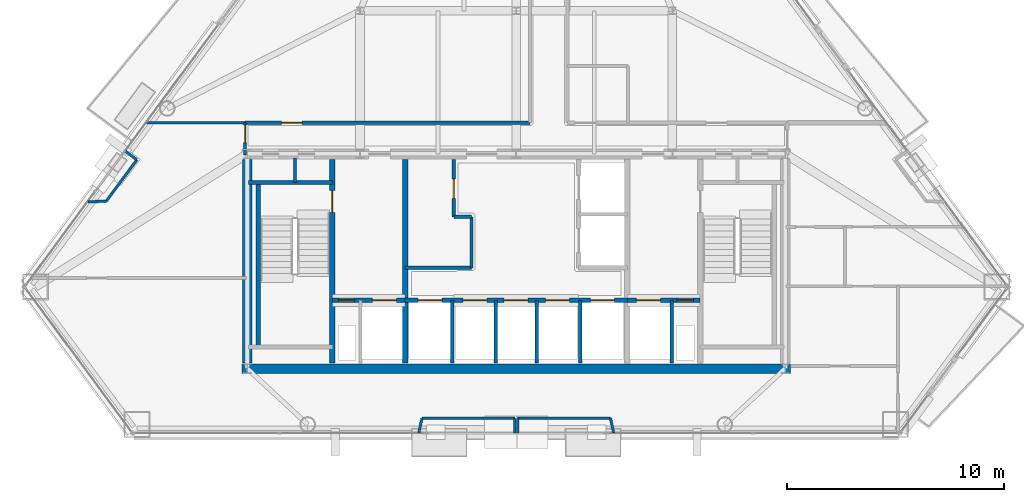
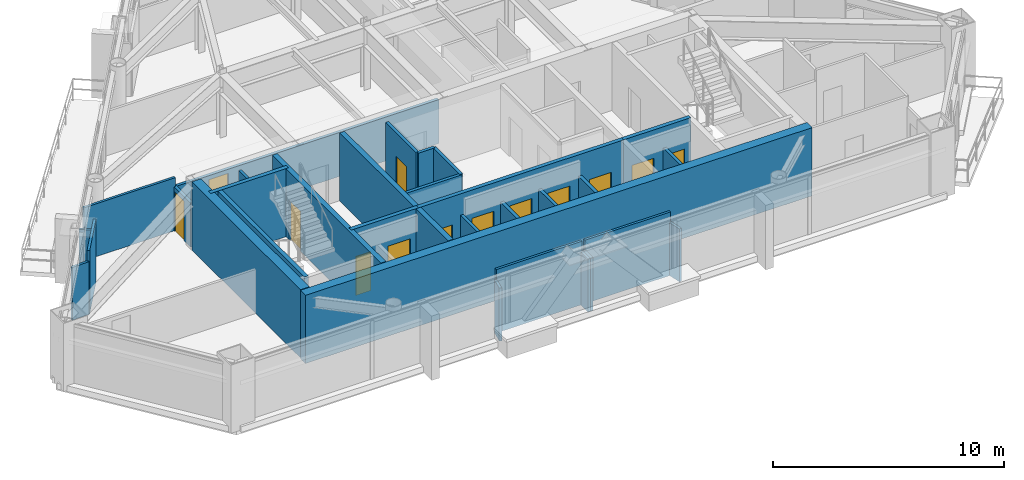
# One storey, part 7 of 11: 31 walls, 13 doors, 13 openings.
"""IFC4 building model written with IfcOpenShell, lengths in metres."""

from ifc_helpers import new_model, si_unit, direction, frame, frame_2d, origin, place, context, subcontext, project, spatial, rectangle, extrude, material, layer, layer_set, type_object, element, fill, save


model = new_model("IFC4")

# Units and contexts
model_context = context("Model", 3, precision=1e-05, world=origin(), true_north=direction((0.0, 1.0)))
body_context = subcontext(model_context, "Body", "Model", "MODEL_VIEW")
ifc_project = project(units=[si_unit("LENGTHUNIT", "METRE"), si_unit("AREAUNIT", "SQUARE_METRE"), si_unit("VOLUMEUNIT", "CUBIC_METRE"), si_unit("PLANEANGLEUNIT", "RADIAN"), si_unit("MASSUNIT", "GRAM", prefix="KILO")], contexts=[model_context])

# Site, building, storey
site_placement = place(None, origin())
site = spatial("IfcSite", under=ifc_project, at=site_placement, CompositionType="ELEMENT")
building_placement = place(site_placement, origin())
building = spatial("IfcBuilding", under=site, at=building_placement, Name="Talgorran Terracotta Tower", CompositionType="ELEMENT")
storey_placement = place(building_placement, frame((0.0, 0.0, 147.300048828125)))
storey = spatial("IfcBuildingStorey", under=building, at=storey_placement, Name="L38", CompositionType="ELEMENT", Elevation=147.300048828125)

# Walls
ifc_material_1 = material(Name="Concrete C50/60", Category="concrete")
ifc_layer_1 = layer(ifc_material_1, 0.199951171875, Name="WT_CORE_200")
ifc_layer_set_1 = layer_set([ifc_layer_1], Name="Concrete C50/60")
wall_type_1 = type_object("IfcWallType", Name="WT_CORE_200", PredefinedType="SOLIDWALL", material=ifc_layer_set_1)
wall_1_placement = place(storey_placement, frame((-12.35009765625, -5.52001953125, 0.0), z_axis=(0.0, 0.0, 1.0), x_axis=(1.0, 0.0, 0.0)))
element("IfcWall", 1, at=wall_1_placement, inside=storey, type_object=wall_type_1, Name="WL-L38-CW-ST1-N", PredefinedType="SOLIDWALL", context=body_context, shape_type="SweptSolid", body=[
    extrude(rectangle(XDim=3.8701171875, YDim=0.199951171875, at=frame_2d((1.93505859375, 0.0))), origin(), (0.0, 0.0, 1.0), 3.599853515625),
])
wall_2_placement = place(storey_placement, frame((-11.89990234375, -13.10009765625, 0.0), z_axis=(0.0, 0.0, 1.0), x_axis=(0.0, 1.0, 0.0)))
element("IfcWall", 2, at=wall_2_placement, inside=storey, type_object=wall_type_1, Name="WL-L38-CW-ST1-W", PredefinedType="SOLIDWALL", context=body_context, shape_type="SweptSolid", body=[
    extrude(rectangle(XDim=7.580078125, YDim=0.199951171875, at=frame_2d((3.7900390625, 0.0))), origin(), (0.0, 0.0, 1.0), 3.599853515625),
])

# Wall, openings, doors
wall_3_placement = place(storey_placement, frame((-8.47998046875, -10.949951171875, 0.0), z_axis=(0.0, 0.0, 1.0), x_axis=(1.0, 0.0, 0.0)))
wall_3 = element("IfcWall", 3, at=wall_3_placement, inside=storey, type_object=wall_type_1, Name="WL-L38-CW-H-SBW", PredefinedType="SOLIDWALL", context=body_context, shape_type="SweptSolid", body=[
    extrude(rectangle(XDim=3.35986328125, YDim=0.199951171875, at=frame_2d((1.679931640625, 0.0))), origin(), (0.0, 0.0, 1.0), 3.599853515625),
])
opening_1_placement = place(wall_3_placement, frame((0.280029296875, 0.0, 0.0)))
opening_1 = element("IfcOpeningElement", 4, at=opening_1_placement, cuts=wall_3, Name="Opening DR-RSW", PredefinedType="OPENING", context=body_context, shape_type="SweptSolid", body=[
    extrude(rectangle(XDim=0.756, YDim=2.054048828125, at=frame_2d((0.375, 1.027099609375))), frame((0.0, 0.10986328125, 0.0), z_axis=(0.0, -1.0, 0.0), x_axis=(1.0, 0.0, 0.0)), (0.0, 0.0, 1.0), 0.219970703125),
])
opening_2_placement = place(wall_3_placement, frame((1.85009765625, 0.0, 0.0)))
opening_2 = element("IfcOpeningElement", 5, at=opening_2_placement, cuts=wall_3, Name="Opening LD-FFL1", PredefinedType="OPENING", context=body_context, shape_type="SweptSolid", body=[
    extrude(rectangle(XDim=1.10609765625, YDim=2.10409765625, at=frame_2d((0.550048828125, 1.052001953125))), frame((0.0, 0.10986328125, 0.0), z_axis=(0.0, -1.0, 0.0), x_axis=(1.0, 0.0, 0.0)), (0.0, 0.0, 1.0), 0.219970703125),
])
ifc_material_2 = material(Name="Brushed Stainless Steel Grade 304", Category="steel")
door_type_1 = type_object("IfcDoorType", Name="DT_LIFT_LD1100", OperationType="DOUBLE_DOOR_SLIDING", PredefinedType="DOOR", material=ifc_material_2)
door_1_placement = place(opening_2_placement, origin())
door_1 = element("IfcDoor", 6, at=door_1_placement, inside=storey, type_object=door_type_1, Name="L38 Lift Landing Door LD-FFL1", OperationType="DOUBLE_DOOR_SLIDING", OverallHeight=2.10009765625, OverallWidth=1.10009765625, PredefinedType="DOOR", context=body_context, shape_type="SweptSolid", body=[
    extrude(rectangle(XDim=1.10009765625, YDim=2.10009765625, at=frame_2d((0.550048828125, 1.050048828125))), frame((0.0, 0.02490234375, 0.0), z_axis=(0.0, -1.0, 0.0), x_axis=(1.0, 0.0, 0.0)), (0.0, 0.0, 1.0), 0.050048828125),
])
fill(opening_2, door_1)
ifc_material_3 = material(Name="Fire-Rated Pressed Steel", Category="steel")
door_type_2 = type_object("IfcDoorType", Name="DT_RISER_750", OperationType="NOTDEFINED", PredefinedType="DOOR", material=ifc_material_3)
door_2_placement = place(opening_1_placement, origin())
door_2 = element("IfcDoor", 7, at=door_2_placement, inside=storey, type_object=door_type_2, Name="DR-RSW", OperationType="SINGLE_SWING_LEFT", OverallHeight=2.050048828125, OverallWidth=0.75, PredefinedType="DOOR", context=body_context, shape_type="SweptSolid", body=[
    extrude(rectangle(XDim=0.75, YDim=2.050048828125, at=frame_2d((0.375, 1.02490234375))), frame((0.0, 0.02490234375, 0.0), z_axis=(0.0, -1.0, 0.0), x_axis=(1.0, 0.0, 0.0)), (0.0, 0.0, 1.0), 0.050048828125),
])
fill(opening_1, door_2)

wall_4_placement = place(storey_placement, frame((-5.1201171875, -10.949951171875, 0.0), z_axis=(0.0, 0.0, 1.0), x_axis=(1.0, 0.0, 0.0)))
wall_4 = element("IfcWall", 8, at=wall_4_placement, inside=storey, type_object=wall_type_1, Name="WL-L38-CW-H-SBC", PredefinedType="SOLIDWALL", context=body_context, shape_type="SweptSolid", body=[
    extrude(rectangle(XDim=10.240234375, YDim=0.199951171875, at=frame_2d((5.1201171875, 0.0))), origin(), (0.0, 0.0, 1.0), 3.599853515625),
])
opening_3_placement = place(wall_4_placement, frame((0.60009765625, 0.0, 0.0)))
opening_3 = element("IfcOpeningElement", 9, at=opening_3_placement, cuts=wall_4, Name="Opening LD-OB1", PredefinedType="OPENING", context=body_context, shape_type="SweptSolid", body=[
    extrude(rectangle(XDim=1.10609765625, YDim=2.10409765625, at=frame_2d((0.550048828125, 1.052001953125))), frame((0.0, 0.10986328125, 0.0), z_axis=(0.0, -1.0, 0.0), x_axis=(1.0, 0.0, 0.0)), (0.0, 0.0, 1.0), 0.219970703125),
])
opening_4_placement = place(wall_4_placement, frame((2.669921875, 0.0, 0.0)))
opening_4 = element("IfcOpeningElement", 10, at=opening_4_placement, cuts=wall_4, Name="Opening LD-PLH1", PredefinedType="OPENING", context=body_context, shape_type="SweptSolid", body=[
    extrude(rectangle(XDim=1.10609765625, YDim=2.10409765625, at=frame_2d((0.550048828125, 1.052001953125))), frame((0.0, 0.10986328125, 0.0), z_axis=(0.0, -1.0, 0.0), x_axis=(1.0, 0.0, 0.0)), (0.0, 0.0, 1.0), 0.219970703125),
])
opening_5_placement = place(wall_4_placement, frame((4.570068359375, 0.0, 0.0)))
opening_5 = element("IfcOpeningElement", 11, at=opening_5_placement, cuts=wall_4, Name="Opening LD-PLH2", PredefinedType="OPENING", context=body_context, shape_type="SweptSolid", body=[
    extrude(rectangle(XDim=1.10609765625, YDim=2.10409765625, at=frame_2d((0.550048828125, 1.052001953125))), frame((0.0, 0.10986328125, 0.0), z_axis=(0.0, -1.0, 0.0), x_axis=(1.0, 0.0, 0.0)), (0.0, 0.0, 1.0), 0.219970703125),
])
opening_6_placement = place(wall_4_placement, frame((6.469970703125, 0.0, 0.0)))
opening_6 = element("IfcOpeningElement", 12, at=opening_6_placement, cuts=wall_4, Name="Opening LD-PLH3", PredefinedType="OPENING", context=body_context, shape_type="SweptSolid", body=[
    extrude(rectangle(XDim=1.10609765625, YDim=2.10409765625, at=frame_2d((0.550048828125, 1.052001953125))), frame((0.0, 0.10986328125, 0.0), z_axis=(0.0, -1.0, 0.0), x_axis=(1.0, 0.0, 0.0)), (0.0, 0.0, 1.0), 0.219970703125),
])
opening_7_placement = place(wall_4_placement, frame((8.5400390625, 0.0, 0.0)))
opening_7 = element("IfcOpeningElement", 13, at=opening_7_placement, cuts=wall_4, Name="Opening LD-SVL1", PredefinedType="OPENING", context=body_context, shape_type="SweptSolid", body=[
    extrude(rectangle(XDim=1.10609765625, YDim=2.10409765625, at=frame_2d((0.550048828125, 1.052001953125))), frame((0.0, 0.10986328125, 0.0), z_axis=(0.0, -1.0, 0.0), x_axis=(1.0, 0.0, 0.0)), (0.0, 0.0, 1.0), 0.219970703125),
])
door_3_placement = place(opening_3_placement, origin())
door_3 = element("IfcDoor", 14, at=door_3_placement, inside=storey, type_object=door_type_1, Name="L38 Lift Landing Door LD-OB1", OperationType="DOUBLE_DOOR_SLIDING", OverallHeight=2.10009765625, OverallWidth=1.10009765625, PredefinedType="DOOR", context=body_context, shape_type="SweptSolid", body=[
    extrude(rectangle(XDim=1.10009765625, YDim=2.10009765625, at=frame_2d((0.550048828125, 1.050048828125))), frame((0.0, 0.02490234375, 0.0), z_axis=(0.0, -1.0, 0.0), x_axis=(1.0, 0.0, 0.0)), (0.0, 0.0, 1.0), 0.050048828125),
])
fill(opening_3, door_3)
door_4_placement = place(opening_4_placement, origin())
door_4 = element("IfcDoor", 15, at=door_4_placement, inside=storey, type_object=door_type_1, Name="L38 Lift Landing Door LD-PLH1", OperationType="DOUBLE_DOOR_SLIDING", OverallHeight=2.10009765625, OverallWidth=1.10009765625, PredefinedType="DOOR", context=body_context, shape_type="SweptSolid", body=[
    extrude(rectangle(XDim=1.10009765625, YDim=2.10009765625, at=frame_2d((0.550048828125, 1.050048828125))), frame((0.0, 0.02490234375, 0.0), z_axis=(0.0, -1.0, 0.0), x_axis=(1.0, 0.0, 0.0)), (0.0, 0.0, 1.0), 0.050048828125),
])
fill(opening_4, door_4)
door_5_placement = place(opening_5_placement, origin())
door_5 = element("IfcDoor", 16, at=door_5_placement, inside=storey, type_object=door_type_1, Name="L38 Lift Landing Door LD-PLH2", OperationType="DOUBLE_DOOR_SLIDING", OverallHeight=2.10009765625, OverallWidth=1.10009765625, PredefinedType="DOOR", context=body_context, shape_type="SweptSolid", body=[
    extrude(rectangle(XDim=1.10009765625, YDim=2.10009765625, at=frame_2d((0.550048828125, 1.050048828125))), frame((0.0, 0.02490234375, 0.0), z_axis=(0.0, -1.0, 0.0), x_axis=(1.0, 0.0, 0.0)), (0.0, 0.0, 1.0), 0.050048828125),
])
fill(opening_5, door_5)
door_6_placement = place(opening_6_placement, origin())
door_6 = element("IfcDoor", 17, at=door_6_placement, inside=storey, type_object=door_type_1, Name="L38 Lift Landing Door LD-PLH3", OperationType="DOUBLE_DOOR_SLIDING", OverallHeight=2.10009765625, OverallWidth=1.10009765625, PredefinedType="DOOR", context=body_context, shape_type="SweptSolid", body=[
    extrude(rectangle(XDim=1.10009765625, YDim=2.10009765625, at=frame_2d((0.550048828125, 1.050048828125))), frame((0.0, 0.02490234375, 0.0), z_axis=(0.0, -1.0, 0.0), x_axis=(1.0, 0.0, 0.0)), (0.0, 0.0, 1.0), 0.050048828125),
])
fill(opening_6, door_6)
door_7_placement = place(opening_7_placement, origin())
door_7 = element("IfcDoor", 18, at=door_7_placement, inside=storey, type_object=door_type_1, Name="L38 Lift Landing Door LD-SVL1", OperationType="DOUBLE_DOOR_SLIDING", OverallHeight=2.10009765625, OverallWidth=1.10009765625, PredefinedType="DOOR", context=body_context, shape_type="SweptSolid", body=[
    extrude(rectangle(XDim=1.10009765625, YDim=2.10009765625, at=frame_2d((0.550048828125, 1.050048828125))), frame((0.0, 0.02490234375, 0.0), z_axis=(0.0, -1.0, 0.0), x_axis=(1.0, 0.0, 0.0)), (0.0, 0.0, 1.0), 0.050048828125),
])
fill(opening_7, door_7)

wall_5_placement = place(storey_placement, frame((5.1201171875, -10.949951171875, 0.0), z_axis=(0.0, 0.0, 1.0), x_axis=(1.0, 0.0, 0.0)))
wall_5 = element("IfcWall", 19, at=wall_5_placement, inside=storey, type_object=wall_type_1, Name="WL-L38-CW-H-SBE", PredefinedType="SOLIDWALL", context=body_context, shape_type="SweptSolid", body=[
    extrude(rectangle(XDim=3.35986328125, YDim=0.199951171875, at=frame_2d((1.679931640625, 0.0))), origin(), (0.0, 0.0, 1.0), 3.599853515625),
])
opening_8_placement = place(wall_5_placement, frame((0.419921875, 0.0, 0.0)))
opening_8 = element("IfcOpeningElement", 20, at=opening_8_placement, cuts=wall_5, Name="Opening LD-FFL2", PredefinedType="OPENING", context=body_context, shape_type="SweptSolid", body=[
    extrude(rectangle(XDim=1.10609765625, YDim=2.10409765625, at=frame_2d((0.550048828125, 1.052001953125))), frame((0.0, 0.10986328125, 0.0), z_axis=(0.0, -1.0, 0.0), x_axis=(1.0, 0.0, 0.0)), (0.0, 0.0, 1.0), 0.219970703125),
])
opening_9_placement = place(wall_5_placement, frame((2.300048828125, 0.0, 0.0)))
opening_9 = element("IfcOpeningElement", 21, at=opening_9_placement, cuts=wall_5, Name="Opening DR-RSE", PredefinedType="OPENING", context=body_context, shape_type="SweptSolid", body=[
    extrude(rectangle(XDim=0.756, YDim=2.054048828125, at=frame_2d((0.375, 1.027099609375))), frame((0.0, 0.10986328125, 0.0), z_axis=(0.0, -1.0, 0.0), x_axis=(1.0, 0.0, 0.0)), (0.0, 0.0, 1.0), 0.219970703125),
])
door_8_placement = place(opening_8_placement, origin())
door_8 = element("IfcDoor", 22, at=door_8_placement, inside=storey, type_object=door_type_1, Name="L38 Lift Landing Door LD-FFL2", OperationType="DOUBLE_DOOR_SLIDING", OverallHeight=2.10009765625, OverallWidth=1.10009765625, PredefinedType="DOOR", context=body_context, shape_type="SweptSolid", body=[
    extrude(rectangle(XDim=1.10009765625, YDim=2.10009765625, at=frame_2d((0.550048828125, 1.050048828125))), frame((0.0, 0.02490234375, 0.0), z_axis=(0.0, -1.0, 0.0), x_axis=(1.0, 0.0, 0.0)), (0.0, 0.0, 1.0), 0.050048828125),
])
fill(opening_8, door_8)
door_9_placement = place(opening_9_placement, origin())
door_9 = element("IfcDoor", 23, at=door_9_placement, inside=storey, type_object=door_type_2, Name="DR-RSE", OperationType="SINGLE_SWING_RIGHT", OverallHeight=2.050048828125, OverallWidth=0.75, PredefinedType="DOOR", context=body_context, shape_type="SweptSolid", body=[
    extrude(rectangle(XDim=0.75, YDim=2.050048828125, at=frame_2d((0.375, 1.02490234375))), frame((0.0, 0.02490234375, 0.0), z_axis=(0.0, -1.0, 0.0), x_axis=(1.0, 0.0, 0.0)), (0.0, 0.0, 1.0), 0.050048828125),
])
fill(opening_9, door_9)

# Wall, opening, door
ifc_layer_2 = layer(ifc_material_1, 0.25, Name="WT_CORE_250")
ifc_layer_set_2 = layer_set([ifc_layer_2], Name="Concrete C50/60")
wall_type_2 = type_object("IfcWallType", Name="WT_CORE_250", PredefinedType="SHEAR", material=ifc_layer_set_2)
wall_6_placement = place(storey_placement, frame((-8.47998046875, -13.85009765625, 0.0), z_axis=(0.0, 0.0, 1.0), x_axis=(0.0, 1.0, 0.0)))
wall_6 = element("IfcWall", 24, at=wall_6_placement, inside=storey, type_object=wall_type_2, Name="WL-L38-CW-V-W1", PredefinedType="SHEAR", context=body_context, shape_type="SweptSolid", body=[
    extrude(rectangle(XDim=9.400146484375, YDim=0.25, at=frame_2d((4.7001953125, 0.0))), origin(), (0.0, 0.0, 1.0), 3.599853515625),
])
opening_10_placement = place(wall_6_placement, frame((6.949951171875, 0.0, 0.0)))
opening_10 = element("IfcOpeningElement", 25, at=opening_10_placement, cuts=wall_6, Name="Opening DR-ST01", PredefinedType="OPENING", context=body_context, shape_type="SweptSolid", body=[
    extrude(rectangle(XDim=1.006, YDim=2.10409765625, at=frame_2d((0.5, 1.052001953125))), frame((0.0, 0.135009765625, 0.0), z_axis=(0.0, -1.0, 0.0), x_axis=(1.0, 0.0, 0.0)), (0.0, 0.0, 1.0), 0.27001953125),
])
door_type_3 = type_object("IfcDoorType", Name="DT_FIRE_1000", OperationType="NOTDEFINED", PredefinedType="DOOR", material=ifc_material_3)
door_10_placement = place(opening_10_placement, origin())
door_10 = element("IfcDoor", 26, at=door_10_placement, inside=storey, type_object=door_type_3, Name="DR-ST01", OperationType="SINGLE_SWING_LEFT", OverallHeight=2.10009765625, OverallWidth=1.0, PredefinedType="DOOR", context=body_context, shape_type="SweptSolid", body=[
    extrude(rectangle(XDim=1.0, YDim=2.10009765625, at=frame_2d((0.5, 1.050048828125))), frame((0.0, 0.02490234375, 0.0), z_axis=(0.0, -1.0, 0.0), x_axis=(1.0, 0.0, 0.0)), (0.0, 0.0, 1.0), 0.050048828125),
])
fill(opening_10, door_10)

# Walls
wall_7_placement = place(storey_placement, frame((-5.1201171875, -13.85009765625, 0.0), z_axis=(0.0, 0.0, 1.0), x_axis=(0.0, 1.0, 0.0)))
element("IfcWall", 27, at=wall_7_placement, inside=storey, type_object=wall_type_2, Name="WL-L38-CW-V-W2", PredefinedType="SHEAR", context=body_context, shape_type="SweptSolid", body=[
    extrude(rectangle(XDim=9.400146484375, YDim=0.25, at=frame_2d((4.7001953125, 0.0))), origin(), (0.0, 0.0, 1.0), 3.599853515625),
])
ifc_material_4 = material(Name="Concrete C65/80", Category="concrete")
ifc_layer_3 = layer(ifc_material_4, 0.449951171875, Name="WT_CORE_EXT")
ifc_layer_set_3 = layer_set([ifc_layer_3], Name="Concrete C65/80")
wall_type_3 = type_object("IfcWallType", Name="WT_CORE_EXT", PredefinedType="SHEAR", material=ifc_layer_set_3)
wall_8_placement = place(storey_placement, frame((-12.64990234375, -14.10009765625, 0.0), z_axis=(0.0, 0.0, 1.0), x_axis=(1.0, 0.0, 0.0)))
element("IfcWall", 28, at=wall_8_placement, inside=storey, type_object=wall_type_3, Name="WL-L38-CW-OUT-S", PredefinedType="SHEAR", context=body_context, shape_type="SweptSolid", body=[
    extrude(rectangle(XDim=25.2998046875, YDim=0.449951171875, at=frame_2d((12.64990234375, 0.0))), origin(), (0.0, 0.0, 1.0), 3.599853515625),
])
wall_9_placement = place(storey_placement, frame((-12.39990234375, -13.85009765625, 0.0), z_axis=(0.0, 0.0, 1.0), x_axis=(0.0, 1.0, 0.0)))
element("IfcWall", 29, at=wall_9_placement, inside=storey, type_object=wall_type_3, Name="WL-L38-CW-OUT-W", PredefinedType="SHEAR", context=body_context, shape_type="SweptSolid", body=[
    extrude(rectangle(XDim=9.400146484375, YDim=0.449951171875, at=frame_2d((4.7001953125, 0.0))), origin(), (0.0, 0.0, 1.0), 3.599853515625),
])
ifc_material_5 = material(Name="Fire-Rated Steel Stud Plasterboard", Category="steel")
ifc_layer_4 = layer(ifc_material_5, 0.14990234375, Name="WT_FIRE_150")
ifc_layer_set_4 = layer_set([ifc_layer_4], Name="Fire-Rated Steel Stud Plasterboard")
wall_type_4 = type_object("IfcWallType", Name="WT_FIRE_150", PredefinedType="PARTITIONING", material=ifc_layer_set_4)
wall_10_placement = place(storey_placement, frame((-5.1201171875, -9.449951171875, 0.0), z_axis=(0.0, 0.0, 1.0), x_axis=(1.0, 0.0, 0.0)))
element("IfcWall", 30, at=wall_10_placement, inside=storey, type_object=wall_type_4, Name="WL-L38-CW-H-W4N", PredefinedType="PARTITIONING", context=body_context, shape_type="SweptSolid", body=[
    extrude(rectangle(XDim=3.06005859375, YDim=0.14990234375, at=frame_2d((1.530029296875, 0.0))), origin(), (0.0, 0.0, 1.0), 3.349853515625),
])
wall_11_placement = place(storey_placement, frame((-2.06005859375, -9.449951171875, 0.0), z_axis=(0.0, 0.0, 1.0), x_axis=(0.0, 1.0, 0.0)))
element("IfcWall", 31, at=wall_11_placement, inside=storey, type_object=wall_type_4, Name="WL-L38-CW-V-W3S2", PredefinedType="PARTITIONING", context=body_context, shape_type="SweptSolid", body=[
    extrude(rectangle(XDim=2.349853515625, YDim=0.14990234375, at=frame_2d((1.1748046875, 0.0))), origin(), (0.0, 0.0, 1.0), 3.349853515625),
])
wall_12_placement = place(storey_placement, frame((-2.8798828125, -7.10009765625, 0.0), z_axis=(0.0, 0.0, 1.0), x_axis=(1.0, 0.0, 0.0)))
element("IfcWall", 32, at=wall_12_placement, inside=storey, type_object=wall_type_4, Name="WL-L38-CW-H-W3M2", PredefinedType="PARTITIONING", context=body_context, shape_type="SweptSolid", body=[
    extrude(rectangle(XDim=0.81982421875, YDim=0.14990234375, at=frame_2d((0.409912109375, 0.0))), origin(), (0.0, 0.0, 1.0), 3.349853515625),
])

# Wall, opening, door
wall_13_placement = place(storey_placement, frame((-2.8798828125, -7.10009765625, 0.0), z_axis=(0.0, 0.0, 1.0), x_axis=(0.0, 1.0, 0.0)))
wall_13 = element("IfcWall", 33, at=wall_13_placement, inside=storey, type_object=wall_type_4, Name="WL-L38-CW-V-W3N", PredefinedType="PARTITIONING", context=body_context, shape_type="SweptSolid", body=[
    extrude(rectangle(XDim=2.650146484375, YDim=0.14990234375, at=frame_2d((1.3251953125, 0.0))), origin(), (0.0, 0.0, 1.0), 3.349853515625),
])
opening_11_placement = place(wall_13_placement, frame((0.85009765625, 0.0, 0.0)))
opening_11 = element("IfcOpeningElement", 34, at=opening_11_placement, cuts=wall_13, Name="Opening DR-FRPLL-B", PredefinedType="OPENING", context=body_context, shape_type="SweptSolid", body=[
    extrude(rectangle(XDim=0.8858828125, YDim=2.10409765625, at=frame_2d((0.43994140625, 1.052001953125))), frame((0.0, 0.0849609375, 0.0), z_axis=(0.0, -1.0, 0.0), x_axis=(1.0, 0.0, 0.0)), (0.0, 0.0, 1.0), 0.169921875),
])
ifc_material_6 = material(Name="Solid-Core Painted Timber", Category="wood")
door_type_4 = type_object("IfcDoorType", Name="DT_INT_880", OperationType="NOTDEFINED", PredefinedType="DOOR", material=ifc_material_6)
door_11_placement = place(opening_11_placement, origin())
door_11 = element("IfcDoor", 35, at=door_11_placement, inside=storey, type_object=door_type_4, Name="DR-FRPLL-B", OperationType="SINGLE_SWING_LEFT", OverallHeight=2.10009765625, OverallWidth=0.8798828125, PredefinedType="DOOR", context=body_context, shape_type="SweptSolid", body=[
    extrude(rectangle(XDim=0.8798828125, YDim=2.10009765625, at=frame_2d((0.43994140625, 1.050048828125))), frame((0.0, 0.02490234375, 0.0), z_axis=(0.0, -1.0, 0.0), x_axis=(1.0, 0.0, 0.0)), (0.0, 0.0, 1.0), 0.050048828125),
])
fill(opening_11, door_11)

wall_14_placement = place(storey_placement, frame((-12.5, -2.760009765625, 0.0), z_axis=(0.0, 0.0, 1.0), x_axis=(1.0, 0.0, 0.0)))
wall_14 = element("IfcWall", 36, at=wall_14_placement, inside=storey, type_object=wall_type_4, Name="WL-L38-W-L38-R12", PredefinedType="PARTITIONING", context=body_context, shape_type="SweptSolid", body=[
    extrude(rectangle(XDim=13.139892578125, YDim=0.14990234375, at=frame_2d((6.56982421875, 0.0))), origin(), (0.0, 0.0, 1.0), 2.324951171875),
])
opening_12_placement = place(wall_14_placement, frame((1.6787109375, 0.0, 0.0)))
opening_12 = element("IfcOpeningElement", 37, at=opening_12_placement, cuts=wall_14, Name="Opening DR-L38-R13", PredefinedType="OPENING", context=body_context, shape_type="SweptSolid", body=[
    extrude(rectangle(XDim=0.955951171875, YDim=2.10409765625, at=frame_2d((0.47509765625, 1.052001953125))), frame((0.0, 0.0849609375, 0.0), z_axis=(0.0, -1.0, 0.0), x_axis=(1.0, 0.0, 0.0)), (0.0, 0.0, 1.0), 0.169921875),
])
ifc_material_7 = material(Name="Fire-Rated Timber Core", Category="wood")
door_type_5 = type_object("IfcDoorType", Name="DT_FIRE_950", OperationType="NOTDEFINED", PredefinedType="DOOR", material=ifc_material_7)
door_12_placement = place(opening_12_placement, origin())
door_12 = element("IfcDoor", 38, at=door_12_placement, inside=storey, type_object=door_type_5, Name="DR-L38-R13", OperationType="SINGLE_SWING_LEFT", OverallHeight=2.10009765625, OverallWidth=0.949951171875, PredefinedType="DOOR", context=body_context, shape_type="SweptSolid", body=[
    extrude(rectangle(XDim=0.949951171875, YDim=2.10009765625, at=frame_2d((0.47509765625, 1.050048828125))), frame((0.0, 0.02490234375, 0.0), z_axis=(0.0, -1.0, 0.0), x_axis=(1.0, 0.0, 0.0)), (0.0, 0.0, 1.0), 0.050048828125),
])
fill(opening_12, door_12)

wall_15_placement = place(storey_placement, frame((-12.5, -4.239990234375, 0.0), z_axis=(0.0, 0.0, 1.0), x_axis=(0.0, 1.0, 0.0)))
wall_15 = element("IfcWall", 39, at=wall_15_placement, inside=storey, type_object=wall_type_4, Name="WL-L38-W-L38-R11", PredefinedType="PARTITIONING", context=body_context, shape_type="SweptSolid", body=[
    extrude(rectangle(XDim=1.47998046875, YDim=0.14990234375, at=frame_2d((0.739990234375, 0.0))), origin(), (0.0, 0.0, 1.0), 2.324951171875),
])
opening_13_placement = place(wall_15_placement, frame((0.56005859375, 0.0, 0.0)))
opening_13 = element("IfcOpeningElement", 40, at=opening_13_placement, cuts=wall_15, Name="Opening DR-L38-R12", PredefinedType="OPENING", context=body_context, shape_type="SweptSolid", body=[
    extrude(rectangle(XDim=0.826068359375, YDim=2.10409765625, at=frame_2d((0.41015625, 1.052001953125))), frame((0.0, 0.0849609375, 0.0), z_axis=(0.0, -1.0, 0.0), x_axis=(1.0, 0.0, 0.0)), (0.0, 0.0, 1.0), 0.169921875),
])
ifc_material_8 = material(Name="Moisture-Resistant Solid Timber", Category="wood")
door_type_6 = type_object("IfcDoorType", Name="DT_INT_820", OperationType="NOTDEFINED", PredefinedType="DOOR", material=ifc_material_8)
door_13_placement = place(opening_13_placement, origin())
door_13 = element("IfcDoor", 41, at=door_13_placement, inside=storey, type_object=door_type_6, Name="DR-L38-R12", OperationType="SINGLE_SWING_RIGHT", OverallHeight=2.10009765625, OverallWidth=0.820068359375, PredefinedType="DOOR", context=body_context, shape_type="SweptSolid", body=[
    extrude(rectangle(XDim=0.820068359375, YDim=2.10009765625, at=frame_2d((0.41015625, 1.050048828125))), frame((0.0, 0.02490234375, 0.0), z_axis=(0.0, -1.0, 0.0), x_axis=(1.0, 0.0, 0.0)), (0.0, 0.0, 1.0), 0.050048828125),
])
fill(opening_13, door_13)

# Walls
ifc_material_9 = material(Name="Insulated Steel Stud Plasterboard", Category="steel")
ifc_layer_5 = layer(ifc_material_9, 0.1201171875, Name="WT_PART_120")
ifc_layer_set_5 = layer_set([ifc_layer_5], Name="Insulated Steel Stud Plasterboard")
wall_type_5 = type_object("IfcWallType", Name="WT_PART_120", PredefinedType="PARTITIONING", material=ifc_layer_set_5)
wall_16_placement = place(storey_placement, frame((-10.199951171875, -5.52001953125, 0.0), z_axis=(0.0, 0.0, 1.0), x_axis=(0.0, 1.0, 0.0)))
element("IfcWall", 42, at=wall_16_placement, inside=storey, type_object=wall_type_5, Name="WL-L38-CW-CSW-DIV", PredefinedType="PARTITIONING", context=body_context, shape_type="SweptSolid", body=[
    extrude(rectangle(XDim=1.1201171875, YDim=0.1201171875, at=frame_2d((0.56005859375, 0.0))), origin(), (0.0, 0.0, 1.0), 3.349853515625),
])
wall_17_placement = place(storey_placement, frame((-17.073974609375, -2.760009765625, 0.0), z_axis=(0.0, 0.0, 1.0), x_axis=(1.0, 0.0, 0.0)))
element("IfcWall", 43, at=wall_17_placement, inside=storey, type_object=wall_type_5, Name="WL-L38-W-L38-R31", PredefinedType="PARTITIONING", context=body_context, shape_type="SweptSolid", body=[
    extrude(rectangle(XDim=4.573974609375, YDim=0.1201171875, at=frame_2d((2.287109375, 0.0))), origin(), (0.0, 0.0, 1.0), 2.7919921875),
])
for number, where, z_axis, x_axis, name in (
    (44, (-4.349609375, -16.394287109375, 0.0), (0.0, 0.0, 1.0), (1.0, 0.0, 0.0), "WL-L38-BW-L38-01"),
    (45, (0.066650390625, -16.394287109375, 0.0), (0.0, 0.0, 1.0), (1.0, 0.0, 0.0), "WL-L38-BW-L38-06"),
):
    element("IfcWall", number, at=place(storey_placement, frame(where, z_axis=z_axis, x_axis=x_axis)), inside=storey, type_object=wall_type_5, Name=name, PredefinedType="PARTITIONING", context=body_context, shape_type="SweptSolid", body=[
        extrude(rectangle(XDim=4.282958984375, YDim=0.1201171875, at=frame_2d((2.1416015625, 0.0))), origin(), (0.0, 0.0, 1.0), 3.349853515625),
    ])
wall_18_placement = place(storey_placement, frame((-17.489990234375, -4.468017578125, 0.0), z_axis=(0.0, 0.0, 1.0), x_axis=(-0.594053249338, -0.804425718728, 0.0)))
element("IfcWall", 46, at=wall_18_placement, inside=storey, type_object=wall_type_5, Name="WL-L38-BW-L38-08", PredefinedType="PARTITIONING", context=body_context, shape_type="SweptSolid", body=[
    extrude(rectangle(XDim=2.3779296875, YDim=0.1201171875, at=frame_2d((1.18896484375, 0.0))), origin(), (0.0, 0.0, 1.0), 3.349853515625),
])
wall_19_placement = place(storey_placement, frame((-18.902587890625, -6.380859375, 0.0), z_axis=(0.0, 0.0, 1.0), x_axis=(-0.999556038353, -0.029794734305, 0.0)))
element("IfcWall", 47, at=wall_19_placement, inside=storey, type_object=wall_type_5, Name="WL-L38-BW-L38-09", PredefinedType="PARTITIONING", context=body_context, shape_type="SweptSolid", body=[
    extrude(rectangle(XDim=0.852294921875, YDim=0.1201171875, at=frame_2d((0.42626953125, 0.0))), origin(), (0.0, 0.0, 1.0), 2.7919921875),
])
for number, where, z_axis, x_axis, name in (
    (48, (-4.4921875, -17.064453125, 0.0), (0.0, 0.0, 1.0), (0.208093138403, 0.978109015268, 0.0), "WL-L38-BW-L38-03"),
    (49, (4.349609375, -16.394287109375, 0.0), (0.0, 0.0, 1.0), (0.208093138403, -0.978109015268, 0.0), "WL-L38-BW-L38-04"),
):
    element("IfcWall", number, at=place(storey_placement, frame(where, z_axis=z_axis, x_axis=x_axis)), inside=storey, type_object=wall_type_5, Name=name, PredefinedType="PARTITIONING", context=body_context, shape_type="SweptSolid", body=[
        extrude(rectangle(XDim=0.68505859375, YDim=0.1201171875, at=frame_2d((0.342529296875, 0.0))), origin(), (0.0, 0.0, 1.0), 2.7919921875),
    ])
for number, where, z_axis, x_axis, name in (
    (50, (-0.066650390625, -16.394287109375, 0.0), (0.0, 0.0, 1.0), (0.0, -1.0, 0.0), "WL-L38-BW-L38-02"),
    (51, (0.066650390625, -17.064453125, 0.0), (0.0, 0.0, 1.0), (0.0, 1.0, 0.0), "WL-L38-BW-L38-05"),
):
    element("IfcWall", number, at=place(storey_placement, frame(where, z_axis=z_axis, x_axis=x_axis)), inside=storey, type_object=wall_type_5, Name=name, PredefinedType="PARTITIONING", context=body_context, shape_type="SweptSolid", body=[
        extrude(rectangle(XDim=0.670166015625, YDim=0.1201171875, at=frame_2d((0.3349609375, 0.0))), origin(), (0.0, 0.0, 1.0), 2.7919921875),
    ])
wall_20_placement = place(storey_placement, frame((-18.029052734375, -4.070068359375, 0.0), z_axis=(0.0, 0.0, 1.0), x_axis=(0.80452433553, -0.593919686102, 0.0)))
element("IfcWall", 52, at=wall_20_placement, inside=storey, type_object=wall_type_5, Name="WL-L38-BW-L38-07", PredefinedType="PARTITIONING", context=body_context, shape_type="SweptSolid", body=[
    extrude(rectangle(XDim=0.669921875, YDim=0.1201171875, at=frame_2d((0.3349609375, 0.0))), origin(), (0.0, 0.0, 1.0), 2.7919921875),
])
ifc_material_10 = material(Name="Fire-Rated Shaftwall")
ifc_layer_6 = layer(ifc_material_10, 0.159912109375, Name="WT_PART_150")
ifc_layer_set_6 = layer_set([ifc_layer_6], Name="Fire-Rated Shaftwall")
wall_type_6 = type_object("IfcWallType", Name="WT_PART_150", PredefinedType="PARTITIONING", material=ifc_layer_set_6)
for number, where, z_axis, x_axis, name in (
    (53, (7.179931640625, -13.85009765625, 0.0), (0.0, 0.0, 1.0), (0.0, 1.0, 0.0), "WL-L38-CW-RSE"),
    (54, (-2.949951171875, -13.85009765625, 0.0), (0.0, 0.0, 1.0), (0.0, 1.0, 0.0), "WL-L38-CW-OB-E"),
    (55, (2.949951171875, -13.85009765625, 0.0), (0.0, 0.0, 1.0), (0.0, 1.0, 0.0), "WL-L38-CW-SV-W"),
    (56, (-0.949951171875, -13.85009765625, 0.0), (0.0, 0.0, 1.0), (0.0, 1.0, 0.0), "WL-L38-CW-PLH-D1"),
    (57, (0.949951171875, -13.85009765625, 0.0), (0.0, 0.0, 1.0), (0.0, 1.0, 0.0), "WL-L38-CW-PLH-D2"),
):
    element("IfcWall", number, at=place(storey_placement, frame(where, z_axis=z_axis, x_axis=x_axis)), inside=storey, type_object=wall_type_6, Name=name, PredefinedType="PARTITIONING", context=body_context, shape_type="SweptSolid", body=[
        extrude(rectangle(XDim=2.900146484375, YDim=0.159912109375, at=frame_2d((1.4501953125, 0.0))), origin(), (0.0, 0.0, 1.0), 2.474853515625),
    ])

save(model, "model.ifc")
